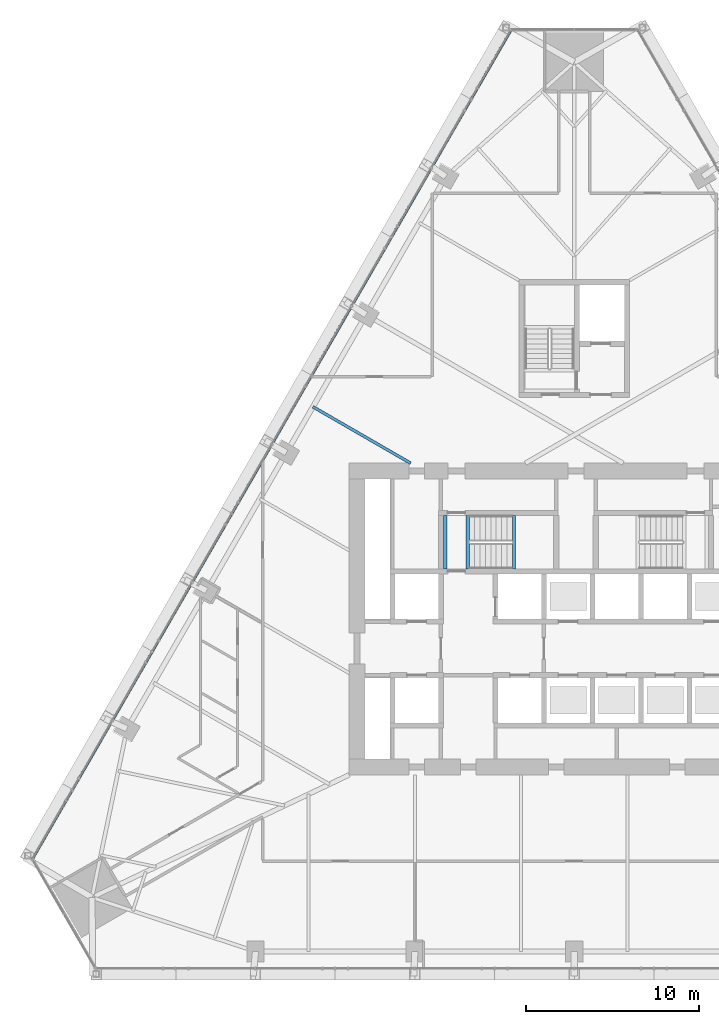
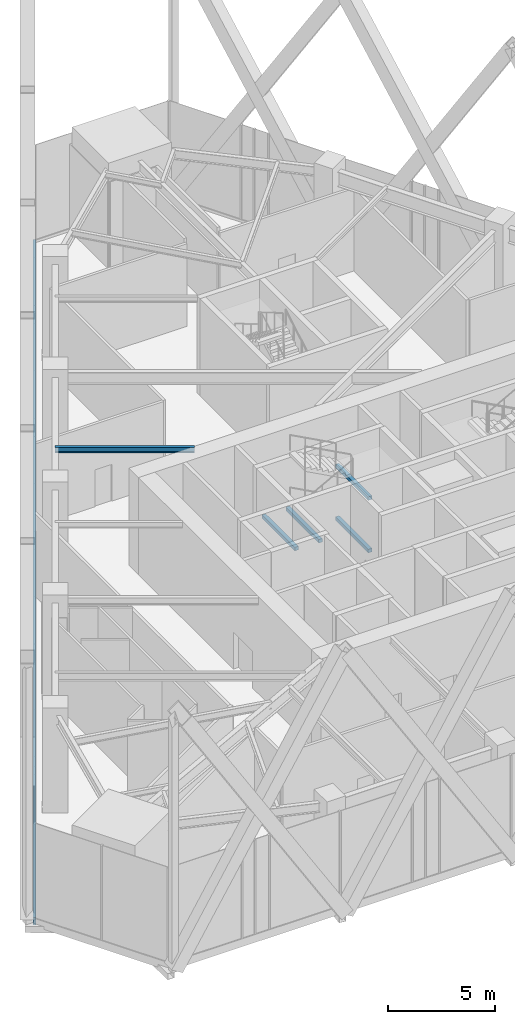
# One storey, part 5 of 21: 5 beams, 1 member, 1 element without a shape of its own.
"""IFC4 building model written with IfcOpenShell, lengths in metres."""

from ifc_helpers import new_model, si_unit, direction, frame, origin, origin_2d, place, context, subcontext, project, spatial, rectangle, i_section, extrude, material, layer, layer_set, material_profile, profile_set, type_object, element, aggregate, save


model = new_model("IFC4")

# Units and contexts
model_context = context("Model", 3, precision=1e-05, world=origin(), true_north=direction((0.0, 1.0)))
body_context = subcontext(model_context, "Body", "Model", "MODEL_VIEW")
ifc_project = project(units=[si_unit("LENGTHUNIT", "METRE"), si_unit("AREAUNIT", "SQUARE_METRE"), si_unit("VOLUMEUNIT", "CUBIC_METRE"), si_unit("PLANEANGLEUNIT", "RADIAN"), si_unit("MASSUNIT", "GRAM", prefix="KILO")], contexts=[model_context])

# Site, building, storey
site_placement = place(None, origin())
site = spatial("IfcSite", under=ifc_project, at=site_placement, CompositionType="ELEMENT")
building_placement = place(site_placement, origin())
building = spatial("IfcBuilding", under=site, at=building_placement, Name="Firuza Gate Tower and Library", CompositionType="ELEMENT")
storey_placement = place(building_placement, frame((0.0, 0.0, 140.800048828125)))
storey = spatial("IfcBuildingStorey", under=building, at=storey_placement, Name="L32", CompositionType="ELEMENT", Elevation=140.800048828125)

# Curtain wall, member
ifc_material_1 = material(Name="Aluminium 6063-T6", Category="aluminium")
ifc_layer = layer(ifc_material_1, 0.14990234375)
ifc_layer_set = layer_set([ifc_layer], Name="Unitised curtain wall, offices")
curtain_wall_type = type_object("IfcCurtainWallType", Name="Unitised curtain wall, offices", PredefinedType="NOTDEFINED", material=ifc_layer_set)
curtain_wall_placement = place(storey_placement, origin())
curtain_wall = element("IfcCurtainWall", 1, at=curtain_wall_placement, inside=storey, type_object=curtain_wall_type, Name="CW1 L32 W face", PredefinedType="NOTDEFINED")
ifc_material_2 = material(Name="Aluminium 6063-T6", Category="aluminium")
ifc_material_profile_1 = material_profile(ifc_material_2, rectangle(XDim=0.14990234375, YDim=0.449951171875, at=origin_2d()))
ifc_profile_set_1 = profile_set([ifc_material_profile_1], Name="Aluminium 6063-T6")
member_type = type_object("IfcMemberType", Name="Curtain wall transom 450x150", PredefinedType="USERDEFINED", material=ifc_profile_set_1)
member_placement = place(storey_placement, frame((71.356689453125, 109.046630859375, -0.074951171875), z_axis=(-0.499999382841, -0.866025760101, 0.0), x_axis=(0.866025760101, -0.499999382841, 0.0)))
member = element("IfcMember", 2, at=member_placement, type_object=member_type, Name="Transom", ObjectType="TRANSOM", PredefinedType="USERDEFINED", context=body_context, shape_type="SweptSolid", body=[
    extrude(rectangle(XDim=0.14990234375, YDim=0.449951171875, at=origin_2d()), origin(), (0.0, 0.0, 1.0), 55.3271484375),
])
aggregate(curtain_wall, [member])

# Beams
ifc_material_3 = material(Name="Concrete C35/45", Category="concrete")
ifc_material_profile_2 = material_profile(ifc_material_3, rectangle(XDim=0.199951171875, YDim=0.199951171875, at=origin_2d()))
ifc_profile_set_2 = profile_set([ifc_material_profile_2], Name="Concrete C35/45")
beam_type_1 = type_object("IfcBeamType", Name="Stair landing bearer 200x200", PredefinedType="BEAM", material=ifc_profile_set_2)
for number, where, z_axis, x_axis, name in (
    (3, (71.52001953125, 77.89990234375, 1.199951171875), (0.0, 1.0, 0.0), (-1.0, 0.0, 0.0), "Landing bearer L32 stair 1"),
    (4, (68.840087890625, 77.89990234375, 2.699951171875), (0.0, 1.0, 0.0), (-1.0, 0.0, 0.0), "Landing bearer L32 stair 1"),
    (5, (67.550048828125, 77.89990234375, 2.699951171875), (0.0, 1.0, 0.0), (-1.0, 0.0, 0.0), "Landing bearer L32 stair 1"),
    (6, (71.52001953125, 77.89990234375, 4.199951171875), (0.0, 1.0, 0.0), (-1.0, 0.0, 0.0), "Landing bearer L32 stair 1"),
):
    element("IfcBeam", number, at=place(storey_placement, frame(where, z_axis=z_axis, x_axis=x_axis)), inside=storey, type_object=beam_type_1, Name=name, PredefinedType="BEAM", context=body_context, shape_type="SweptSolid", body=[
        extrude(rectangle(XDim=0.199951171875, YDim=0.199951171875, at=origin_2d()), origin(), (0.0, 0.0, 1.0), 3.080078125),
    ])
ifc_material_4 = material(Name="Steel S355", Category="steel")
ifc_material_profile_3 = material_profile(ifc_material_4, i_section(OverallWidth=0.1650390625, OverallDepth=0.31005859375, WebThickness=0.005859375, FlangeThickness=0.009765625, at=origin_2d()))
ifc_profile_set_3 = profile_set([ifc_material_profile_3], Name="Steel S355")
beam_type_2 = type_object("IfcBeamType", Name="W310x39 Floor beam", PredefinedType="JOIST", material=ifc_profile_set_3)
beam_placement = place(storey_placement, frame((59.90380859375, 87.259521484375, 5.39501953125), z_axis=(0.866019689325, -0.500009897603, 0.0), x_axis=(0.500009897603, 0.866019689325, 0.0)))
element("IfcBeam", 7, at=beam_placement, inside=storey, type_object=beam_type_2, Name="Floor beam L32 s82", PredefinedType="JOIST", context=body_context, shape_type="SweptSolid", body=[
    extrude(i_section(OverallWidth=0.1650390625, OverallDepth=0.31005859375, WebThickness=0.005859375, FlangeThickness=0.009765625, at=origin_2d()), origin(), (0.0, 0.0, 1.0), 6.518798828125),
])

save(model, "model.ifc")
